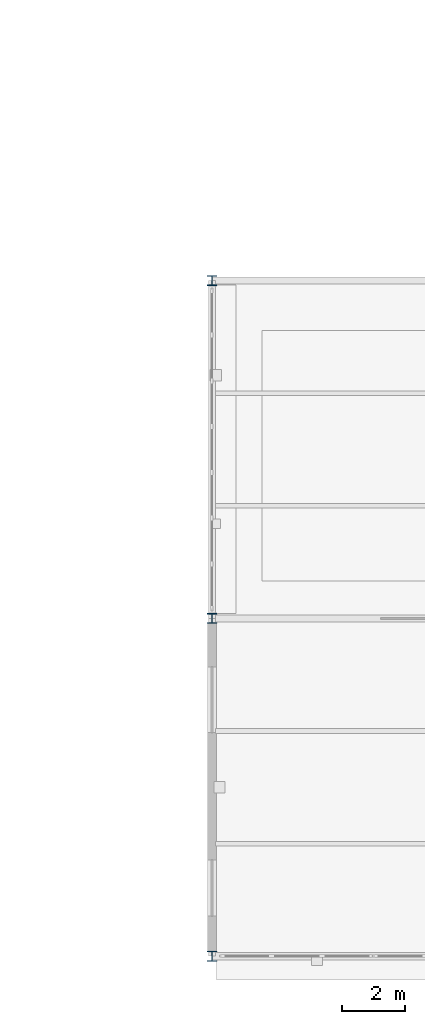
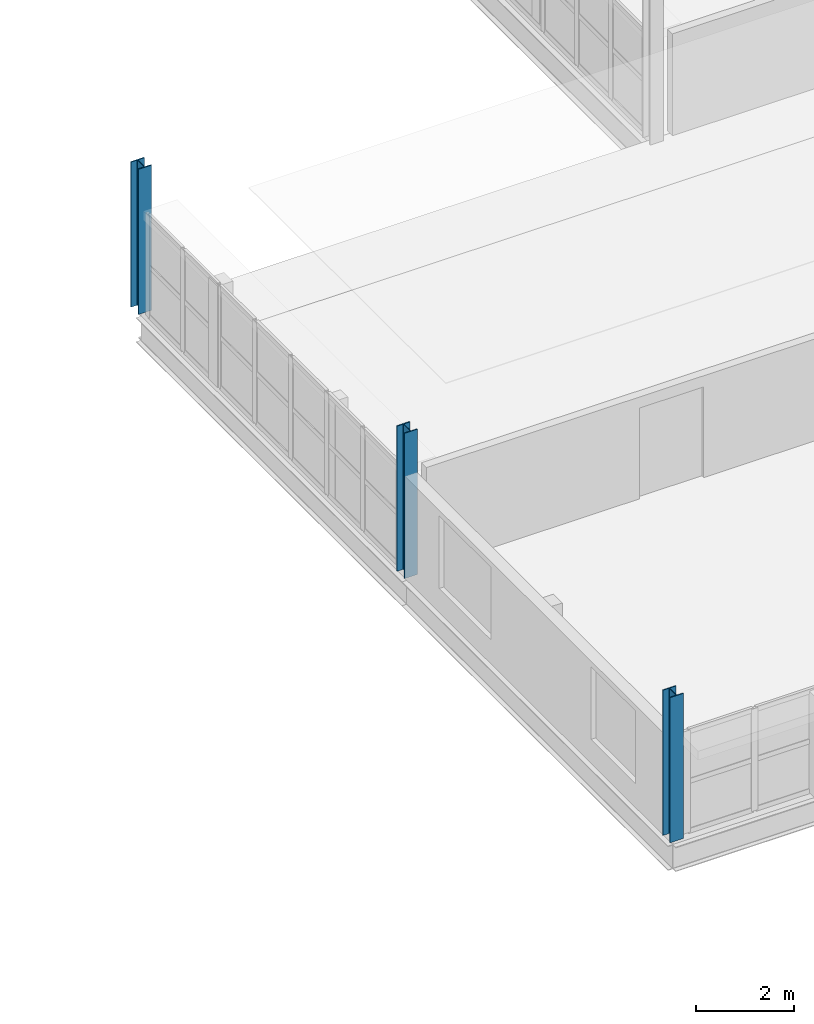
# One storey, part 6 of 79: 3 columns.
"""IFC4 building model written with IfcOpenShell, lengths in metres."""

import ifcopenshell
import ifcopenshell.guid

model = None  # the IFC model being written
_history = None  # IfcOwnerHistory: only IFC2X3 demands one
_inside = {}  # id of a spatial element -> (the spatial element, [elements in it])
_under = {}  # id of a project, library or spatial element -> (it, [spatial elements below it])
_declared = {}  # id of a project -> (the project, [libraries it declares])
_typed = {}  # id of a type object -> (the type object, [elements of that type])
_made_of = {}  # id of a material, layer set ... -> (it, [elements and type objects made of it])


def new_model(schema):
    """Start an empty IFC model of exactly this schema.

    Asked for "IFC4X3", IfcOpenShell would pick the latest addendum, in which some entities
    have other attributes; the version numbers below select the first issue.
    IFC2X3 requires an IfcOwnerHistory on every rooted entity: one is made here for all.
    """
    global model, _history
    if schema == "IFC4X3":
        model = ifcopenshell.file(schema_version=(4, 3, 0, 0))
    else:
        model = ifcopenshell.file(schema=schema)
    _inside.clear()
    _under.clear()
    _declared.clear()
    _typed.clear()
    _made_of.clear()
    _history = None
    if model.schema == "IFC2X3":
        org = make("IfcOrganization", Name="unknown")
        user = make(
            "IfcPersonAndOrganization",
            ThePerson=make("IfcPerson", FamilyName="unknown"),
            TheOrganization=org,
        )
        app = make(
            "IfcApplication",
            ApplicationDeveloper=org,
            Version="unknown",
            ApplicationFullName="unknown",
            ApplicationIdentifier="unknown",
        )
        _history = make(
            "IfcOwnerHistory",
            OwningUser=user,
            OwningApplication=app,
            ChangeAction="ADDED",
            CreationDate=0,
        )
    return model


def make(cls, **values):
    """One entity of the class cls with the attributes given. An attribute that is None is left unset."""
    return model.create_entity(
        cls, **{name: value for name, value in values.items() if value is not None}
    )


def rooted(cls, **values):
    """An entity with a GlobalId (a new one), such as an element, a storey or a relation."""
    return make(cls, GlobalId=ifcopenshell.guid.new(), OwnerHistory=_history, **values)


def si_unit(unit_type, name, prefix=None):
    """IfcSIUnit, for example si_unit("LENGTHUNIT", "METRE", prefix="MILLI")."""
    return make("IfcSIUnit", UnitType=unit_type, Prefix=prefix, Name=name)


def assignment(units):
    """IfcUnitAssignment: the units of a project."""
    return None if units is None else make("IfcUnitAssignment", Units=units)


def point(xyz):
    """IfcCartesianPoint."""
    return None if xyz is None else make("IfcCartesianPoint", Coordinates=xyz)


def direction(xyz):
    """IfcDirection."""
    return None if xyz is None else make("IfcDirection", DirectionRatios=xyz)


def frame(location, z_axis=None, x_axis=None):
    """IfcAxis2Placement3D, a coordinate frame: its origin and axes. An axis left out is left unset."""
    return make(
        "IfcAxis2Placement3D",
        Location=point(location),
        Axis=direction(z_axis),
        RefDirection=direction(x_axis),
    )


def frame_2d(location, x_axis=None):
    """IfcAxis2Placement2D, a coordinate frame in the plane: its origin and x axis."""
    return make(
        "IfcAxis2Placement2D", Location=point(location), RefDirection=direction(x_axis)
    )


def origin():
    """The frame at (0, 0, 0) with its axes left unset."""
    return frame((0.0, 0.0, 0.0))


def origin_2d():
    """The frame at (0, 0) in the plane with its x axis left unset."""
    return frame_2d((0.0, 0.0))


def place(relative_to, where):
    """IfcLocalPlacement: puts the frame where relative to a parent placement (None: the world)."""
    return make(
        "IfcLocalPlacement", PlacementRelTo=relative_to, RelativePlacement=where
    )


def context(
    kind, dimensions, precision=None, world=None, true_north=None, identifier=None
):
    """IfcGeometricRepresentationContext, for example the 3D "Model" context."""
    return make(
        "IfcGeometricRepresentationContext",
        ContextIdentifier=identifier,
        ContextType=kind,
        CoordinateSpaceDimension=dimensions,
        Precision=precision,
        WorldCoordinateSystem=world,
        TrueNorth=true_north,
    )


def subcontext(parent, identifier, kind, view, scale=None):
    """IfcGeometricRepresentationSubContext, for example "Body" below "Model"."""
    return make(
        "IfcGeometricRepresentationSubContext",
        ContextIdentifier=identifier,
        ContextType=kind,
        ParentContext=parent,
        TargetScale=scale,
        TargetView=view,
    )


def project(units=None, contexts=None):
    """IfcProject with its units and contexts."""
    return rooted(
        "IfcProject",
        Name="project",
        RepresentationContexts=contexts,
        UnitsInContext=assignment(units),
    )


def spatial(cls, under=None, at=None, **own):
    """A site, building, storey or space (cls), placed at a placement, below another one or the project."""
    s = rooted(cls, ObjectPlacement=at, **own)
    if under is not None:
        _under.setdefault(under.id(), (under, []))[1].append(s)
    return s


def profile(cls, at=None, kind="AREA", **sizes):
    """A parametric profile (cls). Its sizes go by their IFC names, for example OverallWidth=200.0."""
    return make(cls, ProfileType=kind, Position=at, **sizes)


def i_section(**sizes):
    """IfcIShapeProfileDef."""
    return profile("IfcIShapeProfileDef", **sizes)


def extrude(swept, where, along, depth):
    """IfcExtrudedAreaSolid: the profile swept, set in the frame where, extruded along a direction by depth."""
    return make(
        "IfcExtrudedAreaSolid",
        SweptArea=swept,
        Position=where,
        ExtrudedDirection=direction(along),
        Depth=depth,
    )


def shape(context_of_items, identifier, shape_type, items):
    """IfcShapeRepresentation: the items that make up one representation, for example the "Body"."""
    return make(
        "IfcShapeRepresentation",
        ContextOfItems=context_of_items,
        RepresentationIdentifier=identifier,
        RepresentationType=shape_type,
        Items=items,
    )


def material(Name=None, Category=None):
    """IfcMaterial."""
    return make("IfcMaterial", Name=Name, Category=Category)


def material_profile(
    of_material, cross_section, Name=None, Category=None, Priority=None
):
    """IfcMaterialProfile: a cross section and its material."""
    return make(
        "IfcMaterialProfile",
        Name=Name,
        Material=of_material,
        Profile=cross_section,
        Priority=Priority,
        Category=Category,
    )


def profile_set(profiles, Name=None, composite=None):
    """IfcMaterialProfileSet."""
    return make(
        "IfcMaterialProfileSet",
        Name=Name,
        MaterialProfiles=profiles,
        CompositeProfile=composite,
    )


def made_of(thing, what):
    """Note that an element or type object is made of a material, layer set ...; save() writes the relation."""
    if what is not None:
        _made_of.setdefault(what.id(), (what, []))[1].append(thing)
    return thing


def type_object(cls, material=None, **own):
    """A type object (cls), such as IfcWallType, which elements share."""
    return made_of(rooted(cls, **own), material)


def element(
    cls,
    number,
    at=None,
    inside=None,
    cuts=None,
    type_object=None,
    material=None,
    context=None,
    identifier="Body",
    shape_type=None,
    held_by="IfcProductDefinitionShape",
    body=None,
    shapes=None,
    **own,
):
    """One element of the class cls, such as IfcWall. Its Tag is "e" and its number.

    at: its placement. inside: the storey or other place that contains it. cuts: it is an
    opening in that element (IfcRelVoidsElement). A single representation is given by context,
    identifier, shape_type and body (its items); several are given by shapes. held_by: the class
    of the entity that holds the representations. save() writes the other relations.
    """
    e = rooted(cls, Tag="e%d" % number, ObjectPlacement=at, **own)
    if body is not None:
        shapes = [shape(context, identifier, shape_type, body)]
    if shapes is not None:
        e.Representation = make(held_by, Representations=shapes)
    if inside is not None:
        _inside.setdefault(inside.id(), (inside, []))[1].append(e)
    if cuts is not None:
        rooted(
            "IfcRelVoidsElement", RelatingBuildingElement=cuts, RelatedOpeningElement=e
        )
    if type_object is not None:
        _typed.setdefault(type_object.id(), (type_object, []))[1].append(e)
    return made_of(e, material)


def aggregate(whole, parts):
    """IfcRelAggregates: a whole, such as a stair, and the parts it consists of."""
    return rooted("IfcRelAggregates", RelatingObject=whole, RelatedObjects=parts)


def save(model, path):
    """Write the relations noted so far, then the file.

    IfcRelAggregates (storeys below a building ...), IfcRelContainedInSpatialStructure (elements
    in a storey), IfcRelDefinesByType, IfcRelAssociatesMaterial and IfcRelDeclares: one each for
    every whole, place, type object, material and project.
    """
    for whole, parts in _under.values():
        aggregate(whole, parts)
    for where, things in _inside.values():
        rooted(
            "IfcRelContainedInSpatialStructure",
            RelatedElements=things,
            RelatingStructure=where,
        )
    for kind, things in _typed.values():
        rooted("IfcRelDefinesByType", RelatedObjects=things, RelatingType=kind)
    for what, things in _made_of.values():
        rooted("IfcRelAssociatesMaterial", RelatedObjects=things, RelatingMaterial=what)
    for by, libraries in _declared.values():
        rooted("IfcRelDeclares", RelatingContext=by, RelatedDefinitions=libraries)
    model.write(path)


model = new_model("IFC4")

# Units and contexts
model_context = context("Model", 3, precision=1e-05, world=origin(), true_north=direction((0.0, 1.0)))
body_context = subcontext(model_context, "Body", "Model", "MODEL_VIEW")
ifc_project = project(units=[si_unit("LENGTHUNIT", "METRE"), si_unit("AREAUNIT", "SQUARE_METRE"), si_unit("VOLUMEUNIT", "CUBIC_METRE"), si_unit("PLANEANGLEUNIT", "RADIAN"), si_unit("MASSUNIT", "GRAM", prefix="KILO"), si_unit("THERMODYNAMICTEMPERATUREUNIT", "KELVIN"), si_unit("POWERUNIT", "WATT")], contexts=[model_context])

# Site, building, storey
site_placement = place(None, origin())
site = spatial("IfcSite", under=ifc_project, at=site_placement, CompositionType="ELEMENT")
building_placement = place(site_placement, origin())
building = spatial("IfcBuilding", under=site, at=building_placement, Name="Tembeka Court Mobility Hub", CompositionType="ELEMENT")
storey_placement = place(building_placement, frame((0.0, 0.0, 9.0)))
storey = spatial("IfcBuildingStorey", under=building, at=storey_placement, Name="L02", CompositionType="ELEMENT", Elevation=9.0)

# Columns
ifc_material = material(Name="Steel S355", Category="steel")
ifc_material_profile = material_profile(ifc_material, i_section(OverallWidth=0.30908203125, OverallDepth=0.321044921875, WebThickness=0.013916015625, FlangeThickness=0.021728515625, FilletRadius=0.01513671875, at=origin_2d()), Name="UKC 305x305x137")
ifc_profile_set = profile_set([ifc_material_profile], Name="Steel S355")
column_type = type_object("IfcColumnType", Name="COL-C04", PredefinedType="COLUMN", material=ifc_profile_set)
for number, where, z_axis, x_axis, name in (
    (1, (116.39990234375, 0.0, 0.0), (0.0, 0.0, 1.0), (1.0, 0.0, 0.0), "Column C04 (L02-156)"),
    (2, (116.39990234375, 10.800048828125, 0.0), (0.0, 0.0, 1.0), (1.0, 0.0, 0.0), "Column C04 (L02-157)"),
    (3, (116.39990234375, 21.60009765625, 0.0), (0.0, 0.0, 1.0), (1.0, 0.0, 0.0), "Column C04 (L02-158)"),
):
    element("IfcColumn", number, at=place(storey_placement, frame(where, z_axis=z_axis, x_axis=x_axis)), inside=storey, type_object=column_type, Name=name, PredefinedType="COLUMN", context=body_context, shape_type="SweptSolid", body=[
        extrude(i_section(OverallWidth=0.30908203125, OverallDepth=0.321044921875, WebThickness=0.013916015625, FlangeThickness=0.021728515625, FilletRadius=0.01513671875, at=origin_2d()), origin(), (0.0, 0.0, 1.0), 3.60009765625),
    ])

save(model, "model.ifc")
